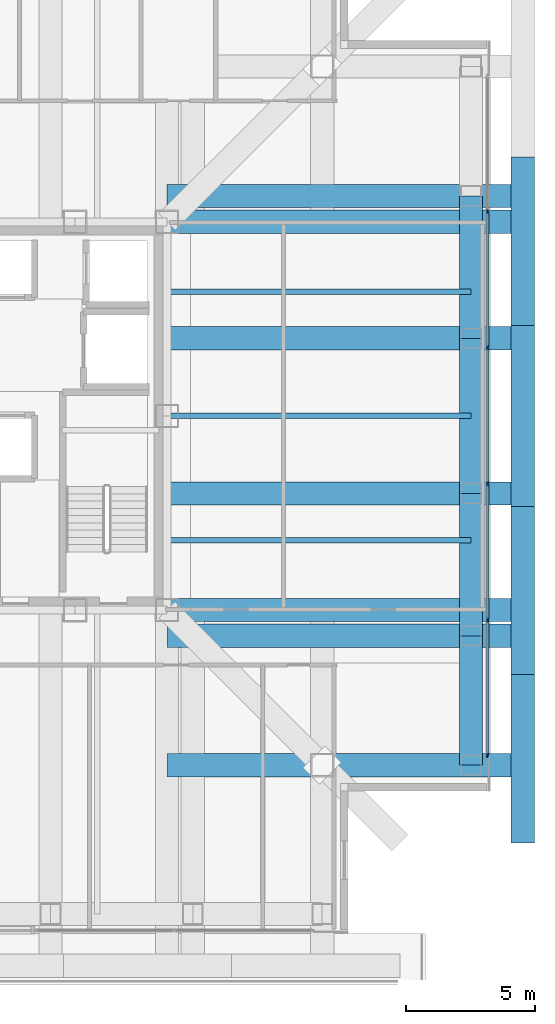
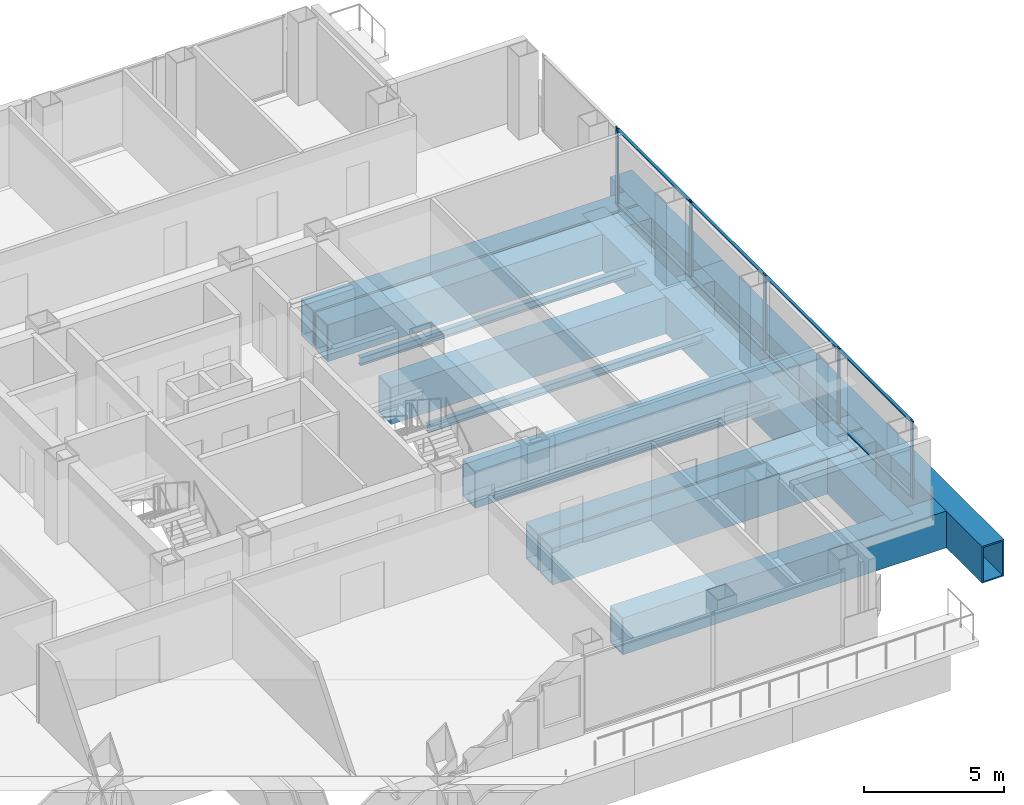
# One storey, part 6 of 14: 18 beams, 13 members, 1 element without a shape of its own.
"""IFC4 building model written with IfcOpenShell, lengths in metres."""

import ifcopenshell
import ifcopenshell.guid

model = None  # the IFC model being written
_history = None  # IfcOwnerHistory: only IFC2X3 demands one
_inside = {}  # id of a spatial element -> (the spatial element, [elements in it])
_under = {}  # id of a project, library or spatial element -> (it, [spatial elements below it])
_declared = {}  # id of a project -> (the project, [libraries it declares])
_typed = {}  # id of a type object -> (the type object, [elements of that type])
_made_of = {}  # id of a material, layer set ... -> (it, [elements and type objects made of it])


def new_model(schema):
    """Start an empty IFC model of exactly this schema.

    Asked for "IFC4X3", IfcOpenShell would pick the latest addendum, in which some entities
    have other attributes; the version numbers below select the first issue.
    IFC2X3 requires an IfcOwnerHistory on every rooted entity: one is made here for all.
    """
    global model, _history
    if schema == "IFC4X3":
        model = ifcopenshell.file(schema_version=(4, 3, 0, 0))
    else:
        model = ifcopenshell.file(schema=schema)
    _inside.clear()
    _under.clear()
    _declared.clear()
    _typed.clear()
    _made_of.clear()
    _history = None
    if model.schema == "IFC2X3":
        org = make("IfcOrganization", Name="unknown")
        user = make(
            "IfcPersonAndOrganization",
            ThePerson=make("IfcPerson", FamilyName="unknown"),
            TheOrganization=org,
        )
        app = make(
            "IfcApplication",
            ApplicationDeveloper=org,
            Version="unknown",
            ApplicationFullName="unknown",
            ApplicationIdentifier="unknown",
        )
        _history = make(
            "IfcOwnerHistory",
            OwningUser=user,
            OwningApplication=app,
            ChangeAction="ADDED",
            CreationDate=0,
        )
    return model


def make(cls, **values):
    """One entity of the class cls with the attributes given. An attribute that is None is left unset."""
    return model.create_entity(
        cls, **{name: value for name, value in values.items() if value is not None}
    )


def rooted(cls, **values):
    """An entity with a GlobalId (a new one), such as an element, a storey or a relation."""
    return make(cls, GlobalId=ifcopenshell.guid.new(), OwnerHistory=_history, **values)


def si_unit(unit_type, name, prefix=None):
    """IfcSIUnit, for example si_unit("LENGTHUNIT", "METRE", prefix="MILLI")."""
    return make("IfcSIUnit", UnitType=unit_type, Prefix=prefix, Name=name)


def assignment(units):
    """IfcUnitAssignment: the units of a project."""
    return None if units is None else make("IfcUnitAssignment", Units=units)


def point(xyz):
    """IfcCartesianPoint."""
    return None if xyz is None else make("IfcCartesianPoint", Coordinates=xyz)


def direction(xyz):
    """IfcDirection."""
    return None if xyz is None else make("IfcDirection", DirectionRatios=xyz)


def frame(location, z_axis=None, x_axis=None):
    """IfcAxis2Placement3D, a coordinate frame: its origin and axes. An axis left out is left unset."""
    return make(
        "IfcAxis2Placement3D",
        Location=point(location),
        Axis=direction(z_axis),
        RefDirection=direction(x_axis),
    )


def frame_2d(location, x_axis=None):
    """IfcAxis2Placement2D, a coordinate frame in the plane: its origin and x axis."""
    return make(
        "IfcAxis2Placement2D", Location=point(location), RefDirection=direction(x_axis)
    )


def origin():
    """The frame at (0, 0, 0) with its axes left unset."""
    return frame((0.0, 0.0, 0.0))


def origin_2d():
    """The frame at (0, 0) in the plane with its x axis left unset."""
    return frame_2d((0.0, 0.0))


def place(relative_to, where):
    """IfcLocalPlacement: puts the frame where relative to a parent placement (None: the world)."""
    return make(
        "IfcLocalPlacement", PlacementRelTo=relative_to, RelativePlacement=where
    )


def context(
    kind, dimensions, precision=None, world=None, true_north=None, identifier=None
):
    """IfcGeometricRepresentationContext, for example the 3D "Model" context."""
    return make(
        "IfcGeometricRepresentationContext",
        ContextIdentifier=identifier,
        ContextType=kind,
        CoordinateSpaceDimension=dimensions,
        Precision=precision,
        WorldCoordinateSystem=world,
        TrueNorth=true_north,
    )


def subcontext(parent, identifier, kind, view, scale=None):
    """IfcGeometricRepresentationSubContext, for example "Body" below "Model"."""
    return make(
        "IfcGeometricRepresentationSubContext",
        ContextIdentifier=identifier,
        ContextType=kind,
        ParentContext=parent,
        TargetScale=scale,
        TargetView=view,
    )


def project(units=None, contexts=None):
    """IfcProject with its units and contexts."""
    return rooted(
        "IfcProject",
        Name="project",
        RepresentationContexts=contexts,
        UnitsInContext=assignment(units),
    )


def spatial(cls, under=None, at=None, **own):
    """A site, building, storey or space (cls), placed at a placement, below another one or the project."""
    s = rooted(cls, ObjectPlacement=at, **own)
    if under is not None:
        _under.setdefault(under.id(), (under, []))[1].append(s)
    return s


def profile(cls, at=None, kind="AREA", **sizes):
    """A parametric profile (cls). Its sizes go by their IFC names, for example OverallWidth=200.0."""
    return make(cls, ProfileType=kind, Position=at, **sizes)


def rectangle(**sizes):
    """IfcRectangleProfileDef."""
    return profile("IfcRectangleProfileDef", **sizes)


def hollow_rectangle(**sizes):
    """IfcRectangleHollowProfileDef."""
    return profile("IfcRectangleHollowProfileDef", **sizes)


def i_section(**sizes):
    """IfcIShapeProfileDef."""
    return profile("IfcIShapeProfileDef", **sizes)


def extrude(swept, where, along, depth):
    """IfcExtrudedAreaSolid: the profile swept, set in the frame where, extruded along a direction by depth."""
    return make(
        "IfcExtrudedAreaSolid",
        SweptArea=swept,
        Position=where,
        ExtrudedDirection=direction(along),
        Depth=depth,
    )


def shape(context_of_items, identifier, shape_type, items):
    """IfcShapeRepresentation: the items that make up one representation, for example the "Body"."""
    return make(
        "IfcShapeRepresentation",
        ContextOfItems=context_of_items,
        RepresentationIdentifier=identifier,
        RepresentationType=shape_type,
        Items=items,
    )


def material(Name=None, Category=None):
    """IfcMaterial."""
    return make("IfcMaterial", Name=Name, Category=Category)


def layer(
    of_material, thickness, ventilated=None, Name=None, Category=None, Priority=None
):
    """IfcMaterialLayer: one layer of a wall or slab, of a material (None: an air gap)."""
    return make(
        "IfcMaterialLayer",
        Material=of_material,
        LayerThickness=thickness,
        IsVentilated=ventilated,
        Name=Name,
        Category=Category,
        Priority=Priority,
    )


def layer_set(layers, Name=None):
    """IfcMaterialLayerSet."""
    return make("IfcMaterialLayerSet", MaterialLayers=layers, LayerSetName=Name)


def material_profile(
    of_material, cross_section, Name=None, Category=None, Priority=None
):
    """IfcMaterialProfile: a cross section and its material."""
    return make(
        "IfcMaterialProfile",
        Name=Name,
        Material=of_material,
        Profile=cross_section,
        Priority=Priority,
        Category=Category,
    )


def profile_set(profiles, Name=None, composite=None):
    """IfcMaterialProfileSet."""
    return make(
        "IfcMaterialProfileSet",
        Name=Name,
        MaterialProfiles=profiles,
        CompositeProfile=composite,
    )


def made_of(thing, what):
    """Note that an element or type object is made of a material, layer set ...; save() writes the relation."""
    if what is not None:
        _made_of.setdefault(what.id(), (what, []))[1].append(thing)
    return thing


def type_object(cls, material=None, **own):
    """A type object (cls), such as IfcWallType, which elements share."""
    return made_of(rooted(cls, **own), material)


def element(
    cls,
    number,
    at=None,
    inside=None,
    cuts=None,
    type_object=None,
    material=None,
    context=None,
    identifier="Body",
    shape_type=None,
    held_by="IfcProductDefinitionShape",
    body=None,
    shapes=None,
    **own,
):
    """One element of the class cls, such as IfcWall. Its Tag is "e" and its number.

    at: its placement. inside: the storey or other place that contains it. cuts: it is an
    opening in that element (IfcRelVoidsElement). A single representation is given by context,
    identifier, shape_type and body (its items); several are given by shapes. held_by: the class
    of the entity that holds the representations. save() writes the other relations.
    """
    e = rooted(cls, Tag="e%d" % number, ObjectPlacement=at, **own)
    if body is not None:
        shapes = [shape(context, identifier, shape_type, body)]
    if shapes is not None:
        e.Representation = make(held_by, Representations=shapes)
    if inside is not None:
        _inside.setdefault(inside.id(), (inside, []))[1].append(e)
    if cuts is not None:
        rooted(
            "IfcRelVoidsElement", RelatingBuildingElement=cuts, RelatedOpeningElement=e
        )
    if type_object is not None:
        _typed.setdefault(type_object.id(), (type_object, []))[1].append(e)
    return made_of(e, material)


def aggregate(whole, parts):
    """IfcRelAggregates: a whole, such as a stair, and the parts it consists of."""
    return rooted("IfcRelAggregates", RelatingObject=whole, RelatedObjects=parts)


def save(model, path):
    """Write the relations noted so far, then the file.

    IfcRelAggregates (storeys below a building ...), IfcRelContainedInSpatialStructure (elements
    in a storey), IfcRelDefinesByType, IfcRelAssociatesMaterial and IfcRelDeclares: one each for
    every whole, place, type object, material and project.
    """
    for whole, parts in _under.values():
        aggregate(whole, parts)
    for where, things in _inside.values():
        rooted(
            "IfcRelContainedInSpatialStructure",
            RelatedElements=things,
            RelatingStructure=where,
        )
    for kind, things in _typed.values():
        rooted("IfcRelDefinesByType", RelatedObjects=things, RelatingType=kind)
    for what, things in _made_of.values():
        rooted("IfcRelAssociatesMaterial", RelatedObjects=things, RelatingMaterial=what)
    for by, libraries in _declared.values():
        rooted("IfcRelDeclares", RelatingContext=by, RelatedDefinitions=libraries)
    model.write(path)


model = new_model("IFC4")

# Units and contexts
model_context = context("Model", 3, precision=1e-05, world=origin(), true_north=direction((0.0, 1.0)))
body_context = subcontext(model_context, "Body", "Model", "MODEL_VIEW")
ifc_project = project(units=[si_unit("LENGTHUNIT", "METRE"), si_unit("AREAUNIT", "SQUARE_METRE"), si_unit("VOLUMEUNIT", "CUBIC_METRE"), si_unit("PLANEANGLEUNIT", "RADIAN"), si_unit("MASSUNIT", "GRAM", prefix="KILO")], contexts=[model_context])

# Site, building, storey
site_placement = place(None, origin())
site = spatial("IfcSite", under=ifc_project, at=site_placement, CompositionType="ELEMENT")
building_placement = place(site_placement, origin())
building = spatial("IfcBuilding", under=site, at=building_placement, Name="Trevonay Congress Spire", CompositionType="ELEMENT")
storey_placement = place(building_placement, frame((0.0, 0.0, 166.199951171875)))
storey = spatial("IfcBuildingStorey", under=building, at=storey_placement, Name="L42", CompositionType="ELEMENT", Elevation=166.199951171875)

# Beams
ifc_material_1 = material(Name="Steel ASTM A572 Grade 50", Category="steel")
ifc_material_profile_1 = material_profile(ifc_material_1, hollow_rectangle(XDim=0.89990234375, YDim=1.60009765625, WallThickness=0.06005859375, at=origin_2d()), Name="BOX 1600x900x60")
ifc_profile_set_1 = profile_set([ifc_material_profile_1], Name="Steel ASTM A572 Grade 50")
beam_type_1 = type_object("IfcBeamType", Name="BM-RING-BOX1600", PredefinedType="BEAM", material=ifc_profile_set_1)
beam_1_placement = place(storey_placement, frame((19.25, -13.5, -1.199951171875), z_axis=(0.0, 1.0, 0.0), x_axis=(-1.0, 0.0, 0.0)))
element("IfcBeam", 1, at=beam_1_placement, inside=storey, type_object=beam_type_1, Name="L42 structural beam BM-L42-PE1", PredefinedType="BEAM", context=body_context, shape_type="SweptSolid", body=[
    extrude(hollow_rectangle(XDim=0.89990234375, YDim=1.60009765625, WallThickness=0.06005859375, at=origin_2d()), origin(), (0.0, 0.0, 1.0), 5.0),
])
beam_2_placement = place(storey_placement, frame((19.25, -8.5, -1.199951171875), z_axis=(0.0, 1.0, 0.0), x_axis=(-1.0, 0.0, 0.0)))
element("IfcBeam", 2, at=beam_2_placement, inside=storey, type_object=beam_type_1, Name="L42 structural beam BM-L42-PE2", PredefinedType="BEAM", context=body_context, shape_type="SweptSolid", body=[
    extrude(hollow_rectangle(XDim=0.89990234375, YDim=1.60009765625, WallThickness=0.06005859375, at=origin_2d()), origin(), (0.0, 0.0, 1.0), 5.5),
])
beam_3_placement = place(storey_placement, frame((19.25, -3.0, -1.199951171875), z_axis=(0.0, 1.0, 0.0), x_axis=(-1.0, 0.0, 0.0)))
element("IfcBeam", 3, at=beam_3_placement, inside=storey, type_object=beam_type_1, Name="L42 structural beam BM-L42-PE3", PredefinedType="BEAM", context=body_context, shape_type="SweptSolid", body=[
    extrude(hollow_rectangle(XDim=0.89990234375, YDim=1.60009765625, WallThickness=0.06005859375, at=origin_2d()), origin(), (0.0, 0.0, 1.0), 6.0),
])
beam_4_placement = place(storey_placement, frame((19.25, 3.0, -1.199951171875), z_axis=(0.0, 1.0, 0.0), x_axis=(-1.0, 0.0, 0.0)))
element("IfcBeam", 4, at=beam_4_placement, inside=storey, type_object=beam_type_1, Name="L42 structural beam BM-L42-PE4", PredefinedType="BEAM", context=body_context, shape_type="SweptSolid", body=[
    extrude(hollow_rectangle(XDim=0.89990234375, YDim=1.60009765625, WallThickness=0.06005859375, at=origin_2d()), origin(), (0.0, 0.0, 1.0), 5.5),
])
for number, where, z_axis, x_axis, name in (
    (5, (21.25, -16.5, -1.199951171875), (0.0, 1.0, 0.0), (-1.0, 0.0, 0.0), "L42 structural beam XOUT-L42-E0"),
    (6, (21.25, -10.0, -1.199951171875), (0.0, 1.0, 0.0), (-1.0, 0.0, 0.0), "L42 structural beam XOUT-L42-E1"),
):
    element("IfcBeam", number, at=place(storey_placement, frame(where, z_axis=z_axis, x_axis=x_axis)), inside=storey, type_object=beam_type_1, Name=name, PredefinedType="BEAM", context=body_context, shape_type="SweptSolid", body=[
        extrude(hollow_rectangle(XDim=0.89990234375, YDim=1.60009765625, WallThickness=0.06005859375, at=origin_2d()), origin(), (0.0, 0.0, 1.0), 6.5),
    ])
beam_5_placement = place(storey_placement, frame((21.25, -3.5, -1.199951171875), z_axis=(0.0, 1.0, 0.0), x_axis=(-1.0, 0.0, 0.0)))
element("IfcBeam", 7, at=beam_5_placement, inside=storey, type_object=beam_type_1, Name="L42 structural beam XOUT-L42-E2", PredefinedType="BEAM", context=body_context, shape_type="SweptSolid", body=[
    extrude(hollow_rectangle(XDim=0.89990234375, YDim=1.60009765625, WallThickness=0.06005859375, at=origin_2d()), origin(), (0.0, 0.0, 1.0), 7.0),
])
beam_6_placement = place(storey_placement, frame((21.25, 3.5, -1.199951171875), z_axis=(0.0, 1.0, 0.0), x_axis=(-1.0, 0.0, 0.0)))
element("IfcBeam", 8, at=beam_6_placement, inside=storey, type_object=beam_type_1, Name="L42 structural beam XOUT-L42-E3", PredefinedType="BEAM", context=body_context, shape_type="SweptSolid", body=[
    extrude(hollow_rectangle(XDim=0.89990234375, YDim=1.60009765625, WallThickness=0.06005859375, at=origin_2d()), origin(), (0.0, 0.0, 1.0), 6.5),
])
ifc_material_profile_2 = material_profile(ifc_material_1, hollow_rectangle(XDim=0.89990234375, YDim=1.60009765625, WallThickness=0.06005859375, at=origin_2d()), Name="BOX 1600x900x60")
ifc_profile_set_2 = profile_set([ifc_material_profile_2], Name="Steel ASTM A572 Grade 50")
beam_type_2 = type_object("IfcBeamType", Name="BM-XFER-BOX1600", PredefinedType="BEAM", material=ifc_profile_set_2)
for number, where, z_axis, x_axis, name in (
    (9, (7.5, -7.5, -1.199951171875), (1.0, 0.0, 0.0), (0.0, 1.0, 0.0), "L42 structural beam XSPN-L42-CX-SE"),
    (10, (7.5, 7.5, -1.199951171875), (1.0, 0.0, 0.0), (0.0, 1.0, 0.0), "L42 structural beam XSPN-L42-CX-NE"),
    (11, (7.5, -13.5, -1.199951171875), (1.0, 0.0, 0.0), (0.0, 1.0, 0.0), "L42 structural beam XFER-L42-E0"),
    (12, (7.5, -8.5, -1.199951171875), (1.0, 0.0, 0.0), (0.0, 1.0, 0.0), "L42 structural beam XFER-L42-E1"),
    (13, (7.5, -3.0, -1.199951171875), (1.0, 0.0, 0.0), (0.0, 1.0, 0.0), "L42 structural beam XFER-L42-E2"),
    (14, (7.5, 3.0, -1.199951171875), (1.0, 0.0, 0.0), (0.0, 1.0, 0.0), "L42 structural beam XFER-L42-E3"),
    (15, (7.5, 8.5, -1.199951171875), (1.0, 0.0, 0.0), (0.0, 1.0, 0.0), "L42 structural beam XFER-L42-E4"),
):
    element("IfcBeam", number, at=place(storey_placement, frame(where, z_axis=z_axis, x_axis=x_axis)), inside=storey, type_object=beam_type_2, Name=name, PredefinedType="BEAM", context=body_context, shape_type="SweptSolid", body=[
        extrude(hollow_rectangle(XDim=0.89990234375, YDim=1.60009765625, WallThickness=0.06005859375, at=origin_2d()), origin(), (0.0, 0.0, 1.0), 13.75),
    ])

# Curtain wall, members
ifc_material_2 = material(Name="Pale Anodised Aluminium EN AW-6063-T6", Category="aluminium")
ifc_layer = layer(ifc_material_2, 0.169921875, Name="Pale Anodised Aluminium EN AW-6063-T6")
ifc_layer_set = layer_set([ifc_layer], Name="Pale Anodised Aluminium EN AW-6063-T6")
curtain_wall_type = type_object("IfcCurtainWallType", Name="CW-SYS04-CORP-PALE-METAL", PredefinedType="NOTDEFINED", material=ifc_layer_set)
curtain_wall_placement = place(storey_placement, origin())
curtain_wall = element("IfcCurtainWall", 16, at=curtain_wall_placement, inside=storey, type_object=curtain_wall_type, Name="L42 E unitised curtain wall", PredefinedType="NOTDEFINED")
ifc_material_profile_3 = material_profile(ifc_material_2, rectangle(XDim=0.06005859375, YDim=0.159912109375, at=origin_2d()), Name="CW-MULLION-160-ALUMINIUM")
ifc_profile_set_3 = profile_set([ifc_material_profile_3], Name="Pale Anodised Aluminium EN AW-6063-T6")
member_type_1 = type_object("IfcMemberType", Name="CW-MULLION-160-ALUMINIUM", PredefinedType="MULLION", material=ifc_profile_set_3)
member_1_placement = place(storey_placement, frame((19.8798828125, -13.1201171875, 0.0), z_axis=(0.0, 0.0, 1.0), x_axis=(-1.0, 0.0, 0.0)))
member_1 = element("IfcMember", 17, at=member_1_placement, type_object=member_type_1, Name="CW04 mullion 1", PredefinedType="MULLION", context=body_context, shape_type="SweptSolid", body=[
    extrude(rectangle(XDim=0.06005859375, YDim=0.159912109375, at=origin_2d()), origin(), (0.0, 0.0, 1.0), 3.360107421875),
])
member_2_placement = place(storey_placement, frame((19.8798828125, -7.889892578125, 0.0), z_axis=(0.0, 0.0, 1.0), x_axis=(-1.0, 0.0, 0.0)))
member_2 = element("IfcMember", 18, at=member_2_placement, type_object=member_type_1, Name="CW04 mullion 2", PredefinedType="MULLION", context=body_context, shape_type="SweptSolid", body=[
    extrude(rectangle(XDim=0.06005859375, YDim=0.159912109375, at=origin_2d()), origin(), (0.0, 0.0, 1.0), 3.360107421875),
])
member_3_placement = place(storey_placement, frame((19.8798828125, -2.6298828125, 0.0), z_axis=(0.0, 0.0, 1.0), x_axis=(-1.0, 0.0, 0.0)))
member_3 = element("IfcMember", 19, at=member_3_placement, type_object=member_type_1, Name="CW04 mullion 3", PredefinedType="MULLION", context=body_context, shape_type="SweptSolid", body=[
    extrude(rectangle(XDim=0.06005859375, YDim=0.159912109375, at=origin_2d()), origin(), (0.0, 0.0, 1.0), 3.360107421875),
])
member_4_placement = place(storey_placement, frame((19.8798828125, 2.6298828125, 0.0), z_axis=(0.0, 0.0, 1.0), x_axis=(-1.0, 0.0, 0.0)))
member_4 = element("IfcMember", 20, at=member_4_placement, type_object=member_type_1, Name="CW04 mullion 4", PredefinedType="MULLION", context=body_context, shape_type="SweptSolid", body=[
    extrude(rectangle(XDim=0.06005859375, YDim=0.159912109375, at=origin_2d()), origin(), (0.0, 0.0, 1.0), 3.360107421875),
])
member_5_placement = place(storey_placement, frame((19.8798828125, 7.889892578125, 0.0), z_axis=(0.0, 0.0, 1.0), x_axis=(-1.0, 0.0, 0.0)))
member_5 = element("IfcMember", 21, at=member_5_placement, type_object=member_type_1, Name="CW04 mullion 5", PredefinedType="MULLION", context=body_context, shape_type="SweptSolid", body=[
    extrude(rectangle(XDim=0.06005859375, YDim=0.159912109375, at=origin_2d()), origin(), (0.0, 0.0, 1.0), 3.360107421875),
])
ifc_material_profile_4 = material_profile(ifc_material_2, rectangle(XDim=0.1201171875, YDim=0.06005859375, at=origin_2d()), Name="CW-TRANSOM-120-ALUMINIUM")
ifc_profile_set_4 = profile_set([ifc_material_profile_4], Name="Pale Anodised Aluminium EN AW-6063-T6")
member_type_2 = type_object("IfcMemberType", Name="CW-TRANSOM-120-ALUMINIUM", PredefinedType="USERDEFINED", material=ifc_profile_set_4)
member_6_placement = place(storey_placement, frame((19.8798828125, -13.090087890625, 0.06005859375), z_axis=(0.0, 1.0, 0.0), x_axis=(-1.0, 0.0, 0.0)))
member_6 = element("IfcMember", 22, at=member_6_placement, type_object=member_type_2, Name="CW04 transom 1.1", ObjectType="TRANSOM", PredefinedType="USERDEFINED", context=body_context, shape_type="SweptSolid", body=[
    extrude(rectangle(XDim=0.1201171875, YDim=0.06005859375, at=origin_2d()), origin(), (0.0, 0.0, 1.0), 5.170166015625),
])
member_7_placement = place(storey_placement, frame((19.8798828125, -13.090087890625, 3.300048828125), z_axis=(0.0, 1.0, 0.0), x_axis=(-1.0, 0.0, 0.0)))
member_7 = element("IfcMember", 23, at=member_7_placement, type_object=member_type_2, Name="CW04 transom 1.2", ObjectType="TRANSOM", PredefinedType="USERDEFINED", context=body_context, shape_type="SweptSolid", body=[
    extrude(rectangle(XDim=0.1201171875, YDim=0.06005859375, at=origin_2d()), origin(), (0.0, 0.0, 1.0), 5.170166015625),
])
member_8_placement = place(storey_placement, frame((19.8798828125, -7.860107421875, 0.06005859375), z_axis=(0.0, 1.0, 0.0), x_axis=(-1.0, 0.0, 0.0)))
member_8 = element("IfcMember", 24, at=member_8_placement, type_object=member_type_2, Name="CW04 transom 2.1", ObjectType="TRANSOM", PredefinedType="USERDEFINED", context=body_context, shape_type="SweptSolid", body=[
    extrude(rectangle(XDim=0.1201171875, YDim=0.06005859375, at=origin_2d()), origin(), (0.0, 0.0, 1.0), 5.2001953125),
])
member_9_placement = place(storey_placement, frame((19.8798828125, -7.860107421875, 3.300048828125), z_axis=(0.0, 1.0, 0.0), x_axis=(-1.0, 0.0, 0.0)))
member_9 = element("IfcMember", 25, at=member_9_placement, type_object=member_type_2, Name="CW04 transom 2.2", ObjectType="TRANSOM", PredefinedType="USERDEFINED", context=body_context, shape_type="SweptSolid", body=[
    extrude(rectangle(XDim=0.1201171875, YDim=0.06005859375, at=origin_2d()), origin(), (0.0, 0.0, 1.0), 5.2001953125),
])
member_10_placement = place(storey_placement, frame((19.8798828125, -2.60009765625, 0.06005859375), z_axis=(0.0, 1.0, 0.0), x_axis=(-1.0, 0.0, 0.0)))
member_10 = element("IfcMember", 26, at=member_10_placement, type_object=member_type_2, Name="CW04 transom 3.1", ObjectType="TRANSOM", PredefinedType="USERDEFINED", context=body_context, shape_type="SweptSolid", body=[
    extrude(rectangle(XDim=0.1201171875, YDim=0.06005859375, at=origin_2d()), origin(), (0.0, 0.0, 1.0), 5.2001953125),
])
member_11_placement = place(storey_placement, frame((19.8798828125, -2.60009765625, 3.300048828125), z_axis=(0.0, 1.0, 0.0), x_axis=(-1.0, 0.0, 0.0)))
member_11 = element("IfcMember", 27, at=member_11_placement, type_object=member_type_2, Name="CW04 transom 3.2", ObjectType="TRANSOM", PredefinedType="USERDEFINED", context=body_context, shape_type="SweptSolid", body=[
    extrude(rectangle(XDim=0.1201171875, YDim=0.06005859375, at=origin_2d()), origin(), (0.0, 0.0, 1.0), 5.2001953125),
])
member_12_placement = place(storey_placement, frame((19.8798828125, 2.659912109375, 0.06005859375), z_axis=(0.0, 1.0, 0.0), x_axis=(-1.0, 0.0, 0.0)))
member_12 = element("IfcMember", 28, at=member_12_placement, type_object=member_type_2, Name="CW04 transom 4.1", ObjectType="TRANSOM", PredefinedType="USERDEFINED", context=body_context, shape_type="SweptSolid", body=[
    extrude(rectangle(XDim=0.1201171875, YDim=0.06005859375, at=origin_2d()), origin(), (0.0, 0.0, 1.0), 5.2001953125),
])
member_13_placement = place(storey_placement, frame((19.8798828125, 2.659912109375, 3.300048828125), z_axis=(0.0, 1.0, 0.0), x_axis=(-1.0, 0.0, 0.0)))
member_13 = element("IfcMember", 29, at=member_13_placement, type_object=member_type_2, Name="CW04 transom 4.2", ObjectType="TRANSOM", PredefinedType="USERDEFINED", context=body_context, shape_type="SweptSolid", body=[
    extrude(rectangle(XDim=0.1201171875, YDim=0.06005859375, at=origin_2d()), origin(), (0.0, 0.0, 1.0), 5.2001953125),
])
aggregate(curtain_wall, [member_1, member_2, member_3, member_4, member_5, member_6, member_7, member_8, member_9, member_10, member_11, member_12, member_13])

# Beams
ifc_material_profile_5 = material_profile(ifc_material_1, i_section(OverallWidth=0.205078125, OverallDepth=0.35400390625, WebThickness=0.009521484375, FlangeThickness=0.016845703125, FilletRadius=0.011962890625, at=origin_2d()), Name="W360x79")
ifc_profile_set_5 = profile_set([ifc_material_profile_5], Name="Steel ASTM A572 Grade 50")
beam_type_3 = type_object("IfcBeamType", Name="JS-COMP-W360X79", PredefinedType="JOIST", material=ifc_profile_set_5)
for number, where, z_axis, x_axis, name in (
    (30, (7.5, -4.800048828125, -0.576904296875), (1.0, 0.0, 0.0), (0.0, 1.0, 0.0), "L42 structural beam JS-L42-EW-E1"),
    (31, (7.5, 0.0, -0.576904296875), (1.0, 0.0, 0.0), (0.0, 1.0, 0.0), "L42 structural beam JS-L42-EW-E2"),
    (32, (7.5, 4.800048828125, -0.576904296875), (1.0, 0.0, 0.0), (0.0, 1.0, 0.0), "L42 structural beam JS-L42-EW-E3"),
):
    element("IfcBeam", number, at=place(storey_placement, frame(where, z_axis=z_axis, x_axis=x_axis)), inside=storey, type_object=beam_type_3, Name=name, PredefinedType="JOIST", context=body_context, shape_type="SweptSolid", body=[
        extrude(i_section(OverallWidth=0.205078125, OverallDepth=0.35400390625, WebThickness=0.009521484375, FlangeThickness=0.016845703125, FilletRadius=0.011962890625, at=origin_2d()), origin(), (0.0, 0.0, 1.0), 11.75),
    ])

save(model, "model.ifc")
